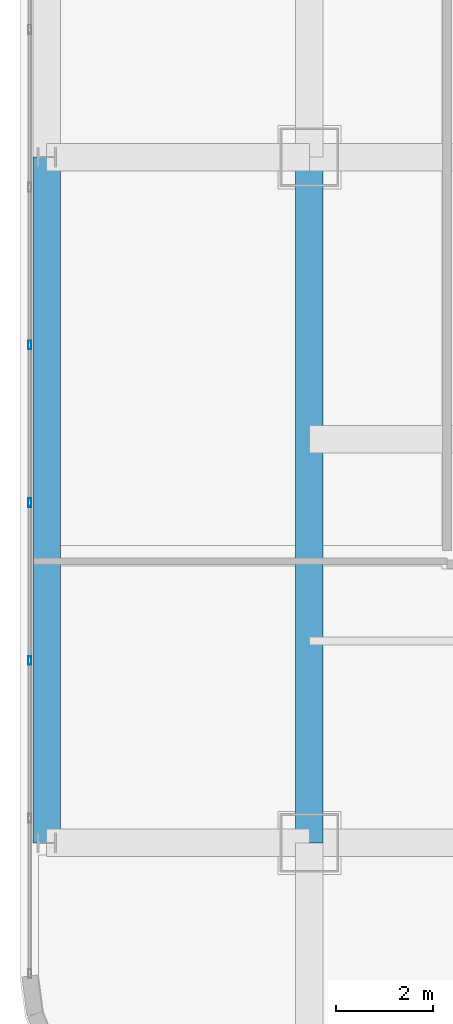
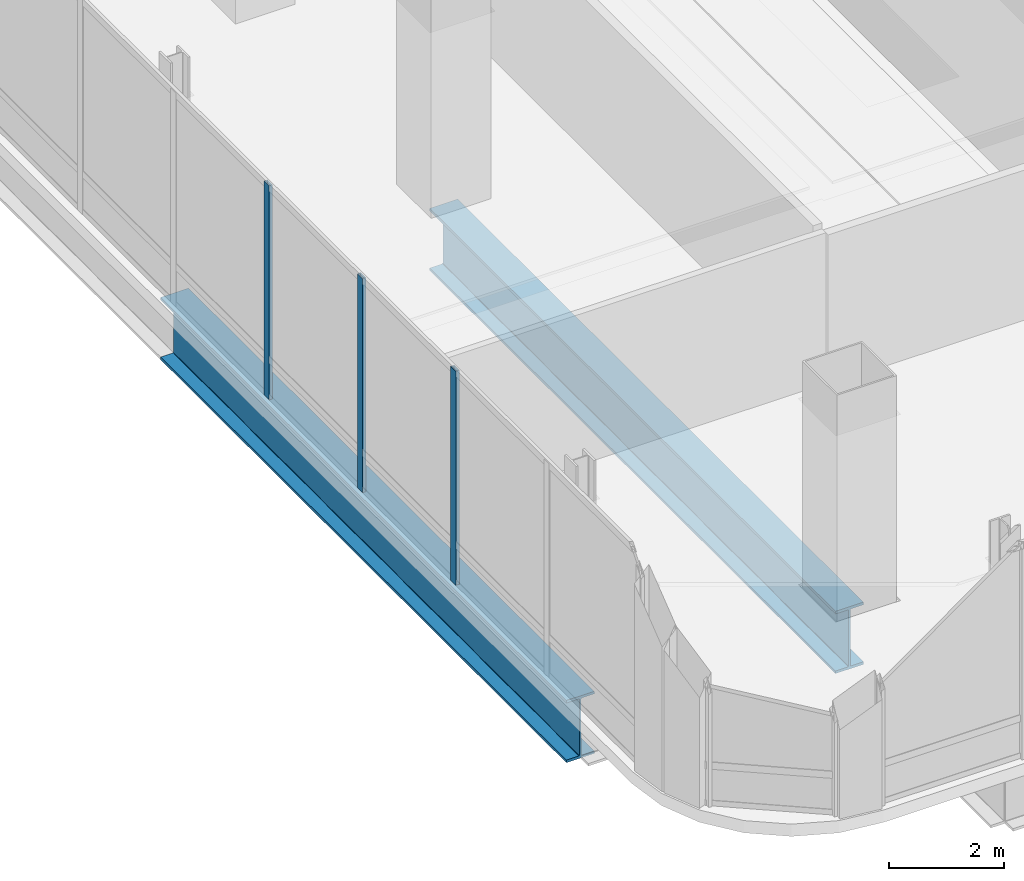
# One storey, part 5 of 44: 3 members, 2 beams, 1 element without a shape of its own.
"""IFC4 building model written with IfcOpenShell, lengths in metres."""

from ifc_helpers import new_model, si_unit, direction, frame, origin, origin_2d, place, context, subcontext, project, spatial, hollow_rectangle, i_section, extrude, material, material_profile, profile_set, type_object, element, aggregate, save


model = new_model("IFC4")

# Units and contexts
model_context = context("Model", 3, precision=1e-05, world=origin(), true_north=direction((0.0, 1.0)))
body_context = subcontext(model_context, "Body", "Model", "MODEL_VIEW")
ifc_project = project(units=[si_unit("LENGTHUNIT", "METRE"), si_unit("AREAUNIT", "SQUARE_METRE"), si_unit("VOLUMEUNIT", "CUBIC_METRE"), si_unit("PLANEANGLEUNIT", "RADIAN"), si_unit("MASSUNIT", "GRAM", prefix="KILO")], contexts=[model_context])

# Site, building, storey
site_placement = place(None, origin())
site = spatial("IfcSite", under=ifc_project, at=site_placement, CompositionType="ELEMENT")
building_placement = place(site_placement, origin())
building = spatial("IfcBuilding", under=site, at=building_placement, Name="Punatoya Terracotta Tower", CompositionType="ELEMENT")
storey_placement = place(building_placement, frame((0.0, 0.0, 334.199951171875)))
storey = spatial("IfcBuildingStorey", under=building, at=storey_placement, Name="L79", CompositionType="ELEMENT", Elevation=334.199951171875)

# Beams
ifc_material_1 = material(Name="Steel S460", Category="steel")
ifc_material_profile_1 = material_profile(ifc_material_1, i_section(OverallWidth=0.56005859375, OverallDepth=1.320068359375, WebThickness=0.035888671875, FlangeThickness=0.054931640625, FilletRadius=0.01806640625, at=origin_2d()))
ifc_profile_set_1 = profile_set([ifc_material_profile_1], Name="Steel S460")
beam_type = type_object("IfcBeamType", Name="BM-TG-BLK", PredefinedType="BEAM", material=ifc_profile_set_1)
for number, where, z_axis, x_axis, name in (
    (1, (-19.10009765625, -17.5, -0.919921875), (0.0, 1.0, 0.0), (-1.0, 0.0, 0.0), "BM-L79-RG-W1"),
    (2, (-24.5, -17.5, -0.919921875), (0.0, 1.0, 0.0), (-1.0, 0.0, 0.0), "BM-L79-PER-W1"),
):
    element("IfcBeam", number, at=place(storey_placement, frame(where, z_axis=z_axis, x_axis=x_axis)), inside=storey, type_object=beam_type, Name=name, PredefinedType="BEAM", context=body_context, shape_type="SweptSolid", body=[
        extrude(i_section(OverallWidth=0.56005859375, OverallDepth=1.320068359375, WebThickness=0.035888671875, FlangeThickness=0.054931640625, FilletRadius=0.01806640625, at=origin_2d()), origin(), (0.0, 0.0, 1.0), 14.10009765625),
    ])

# Curtain wall, members
ifc_material_2 = material(Name="Aluminium 6063-T6 + Double Low-E Glass", Category="aluminium")
curtain_wall_type = type_object("IfcCurtainWallType", Name="CW-OBS", PredefinedType="NOTDEFINED", material=ifc_material_2)
curtain_wall_placement = place(storey_placement, origin())
curtain_wall = element("IfcCurtainWall", 3, at=curtain_wall_placement, inside=storey, type_object=curtain_wall_type, Name="L79 Curtain Wall CW-L79-W18-1", PredefinedType="NOTDEFINED")
ifc_material_3 = material(Name="Aluminium 6063-T6", Category="aluminium")
ifc_material_profile_2 = material_profile(ifc_material_3, hollow_rectangle(XDim=0.070068359375, YDim=0.179931640625, WallThickness=0.00390625, at=origin_2d()))
ifc_profile_set_2 = profile_set([ifc_material_profile_2], Name="Aluminium 6063-T6")
member_type = type_object("IfcMemberType", Name="CW-MUL-M3", PredefinedType="MULLION", material=ifc_profile_set_2)
member_1_placement = place(storey_placement, frame((-24.85009765625, -7.2646484375, 0.0), z_axis=(0.0, 0.0, 1.0), x_axis=(1.0, 0.0, 0.0)))
member_1 = element("IfcMember", 4, at=member_1_placement, type_object=member_type, Name="CW-L79-W18-1 Mullion 07", PredefinedType="MULLION", context=body_context, shape_type="SweptSolid", body=[
    extrude(hollow_rectangle(XDim=0.070068359375, YDim=0.179931640625, WallThickness=0.00390625, at=origin_2d()), origin(), (0.0, 0.0, 1.0), 4.5400390625),
])
member_2_placement = place(storey_placement, frame((-24.85009765625, -10.5078125, 0.0), z_axis=(0.0, 0.0, 1.0), x_axis=(1.0, 0.0, 0.0)))
member_2 = element("IfcMember", 5, at=member_2_placement, type_object=member_type, Name="CW-L79-W18-1 Mullion 08", PredefinedType="MULLION", context=body_context, shape_type="SweptSolid", body=[
    extrude(hollow_rectangle(XDim=0.070068359375, YDim=0.179931640625, WallThickness=0.00390625, at=origin_2d()), origin(), (0.0, 0.0, 1.0), 4.5400390625),
])
member_3_placement = place(storey_placement, frame((-24.85009765625, -13.750732421875, 0.0), z_axis=(0.0, 0.0, 1.0), x_axis=(1.0, 0.0, 0.0)))
member_3 = element("IfcMember", 6, at=member_3_placement, type_object=member_type, Name="CW-L79-W18-1 Mullion 09", PredefinedType="MULLION", context=body_context, shape_type="SweptSolid", body=[
    extrude(hollow_rectangle(XDim=0.070068359375, YDim=0.179931640625, WallThickness=0.00390625, at=origin_2d()), origin(), (0.0, 0.0, 1.0), 4.5400390625),
])
aggregate(curtain_wall, [member_1, member_2, member_3])

save(model, "model.ifc")
